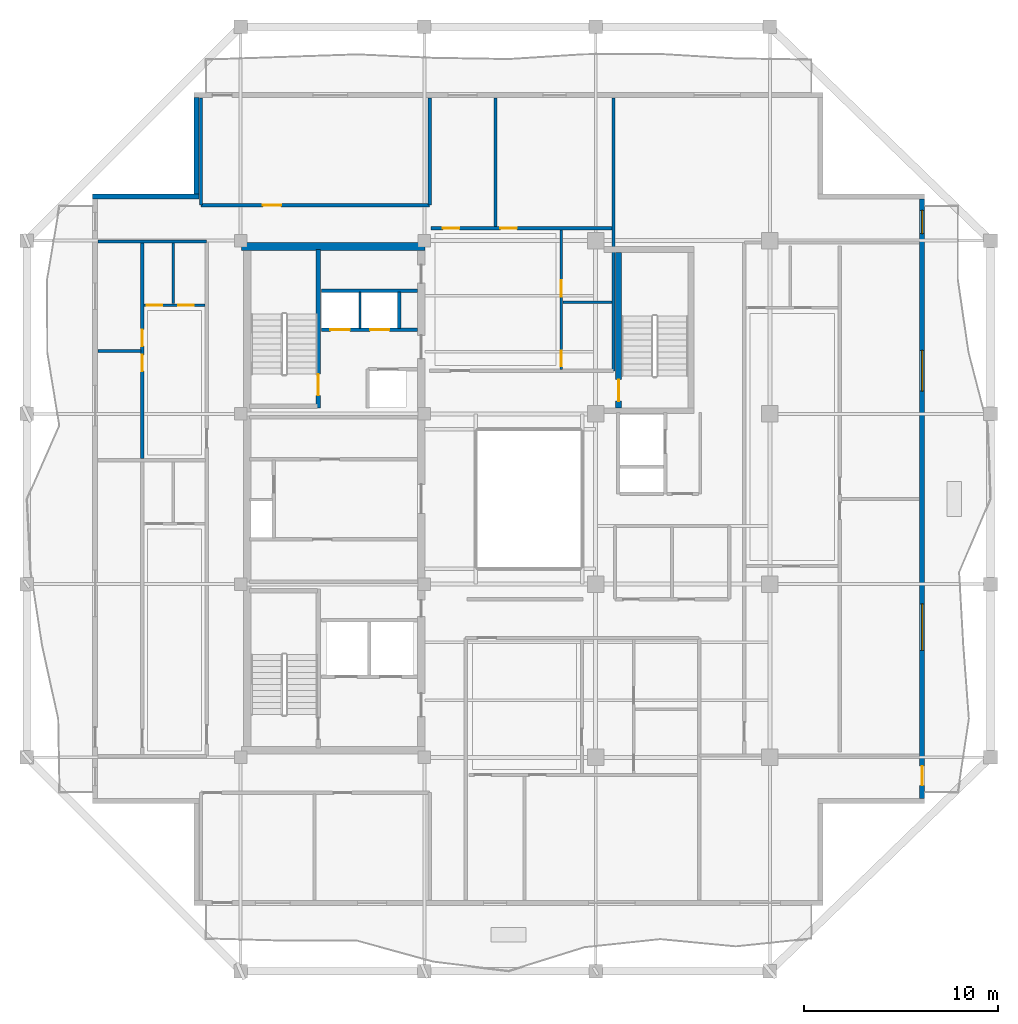
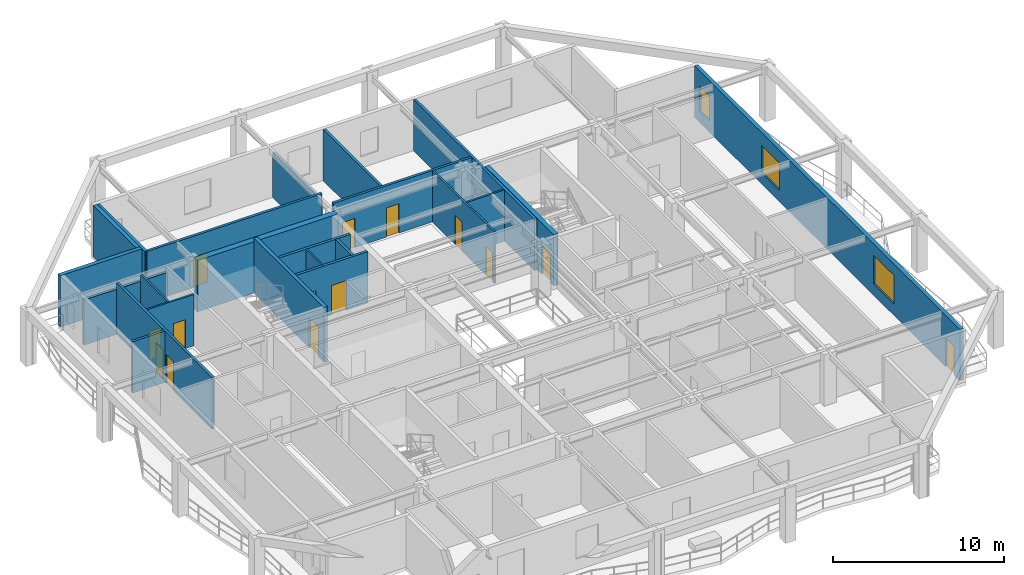
# One storey, part 5 of 11: 23 walls, 14 doors, 3 windows, 17 openings.
"""IFC4 building model written with IfcOpenShell, lengths in metres."""

from ifc_helpers import new_model, si_unit, direction, frame, frame_2d, origin, place, context, subcontext, project, spatial, rectangle, extrude, material, layer, layer_set, type_object, element, fill, save


model = new_model("IFC4")

# Units and contexts
model_context = context("Model", 3, precision=1e-05, world=origin(), true_north=direction((0.0, 1.0)))
body_context = subcontext(model_context, "Body", "Model", "MODEL_VIEW")
ifc_project = project(units=[si_unit("LENGTHUNIT", "METRE"), si_unit("AREAUNIT", "SQUARE_METRE"), si_unit("VOLUMEUNIT", "CUBIC_METRE"), si_unit("PLANEANGLEUNIT", "RADIAN"), si_unit("MASSUNIT", "GRAM", prefix="KILO")], contexts=[model_context])

# Site, building, storey
site_placement = place(None, origin())
site = spatial("IfcSite", under=ifc_project, at=site_placement, CompositionType="ELEMENT")
building_placement = place(site_placement, origin())
building = spatial("IfcBuilding", under=site, at=building_placement, Name="Kundavana Baori Tower", CompositionType="ELEMENT")
storey_placement = place(building_placement, frame((0.0, 0.0, 257.0)))
storey = spatial("IfcBuildingStorey", under=building, at=storey_placement, Name="L63", CompositionType="ELEMENT", Elevation=257.0)

# Wall
ifc_material_1 = material(Name="Concrete C50/60", Category="concrete")
ifc_layer_1 = layer(ifc_material_1, 0.39990234375, Name="WL-CORE-400")
ifc_layer_set_1 = layer_set([ifc_layer_1], Name="Concrete C50/60")
wall_type_1 = type_object("IfcWallType", Name="WL-CORE-400", PredefinedType="SHEAR", material=ifc_layer_set_1)
wall_1_placement = place(storey_placement, frame((15.5, 41.639892578125, 0.0), z_axis=(0.0, 0.0, 1.0), x_axis=(1.0, 0.0, 0.0)))
element("IfcWall", 1, at=wall_1_placement, inside=storey, type_object=wall_type_1, Name="L63 Offset Core North Shear Wall", PredefinedType="SHEAR", context=body_context, shape_type="SweptSolid", body=[
    extrude(rectangle(XDim=9.47998046875, YDim=0.39990234375, at=frame_2d((4.739990234375, 0.0))), origin(), (0.0, 0.0, 1.0), 3.659912109375),
])

# Wall, opening, door
wall_2_placement = place(storey_placement, frame((19.4599609375, 33.300048828125, 0.0), z_axis=(0.0, 0.0, 1.0), x_axis=(0.0, 1.0, 0.0)))
wall_2 = element("IfcWall", 2, at=wall_2_placement, inside=storey, type_object=wall_type_1, Name="WL-L63-ST2-E", PredefinedType="SHEAR", context=body_context, shape_type="SweptSolid", body=[
    extrude(rectangle(XDim=8.179931640625, YDim=0.239990234375, at=frame_2d((4.08984375, 0.0))), origin(), (0.0, 0.0, 1.0), 3.89990234375),
])
opening_1_placement = place(wall_2_placement, frame((0.64990234375, 0.0, 0.0)))
opening_1 = element("IfcOpeningElement", 3, at=opening_1_placement, cuts=wall_2, Name="Opening FD-110", PredefinedType="OPENING", context=body_context, shape_type="SweptSolid", body=[
    extrude(rectangle(XDim=1.10009765625, YDim=2.10009765625, at=frame_2d((0.550048828125, 1.050048828125))), frame((0.0, 0.1298828125, 0.0), z_axis=(0.0, -1.0, 0.0), x_axis=(1.0, 0.0, 0.0)), (0.0, 0.0, 1.0), 0.260009765625),
])
ifc_material_2 = material(Name="Galvanised Steel Fire-Rated Door Leaf", Category="steel")
door_type_1 = type_object("IfcDoorType", Name="DR-FD120-1100", OperationType="NOTDEFINED", PredefinedType="DOOR", material=ifc_material_2)
door_1_placement = place(opening_1_placement, origin())
door_1 = element("IfcDoor", 4, at=door_1_placement, inside=storey, type_object=door_type_1, Name="DR-L63-ST2", OperationType="SINGLE_SWING_RIGHT", OverallHeight=2.10009765625, OverallWidth=1.10009765625, PredefinedType="DOOR", context=body_context, shape_type="SweptSolid", body=[
    extrude(rectangle(XDim=1.10009765625, YDim=2.10009765625, at=frame_2d((0.550048828125, 1.050048828125))), frame((0.0, 0.02490234375, 0.0), z_axis=(0.0, -1.0, 0.0), x_axis=(1.0, 0.0, 0.0)), (0.0, 0.0, 1.0), 0.050048828125),
])
fill(opening_1, door_1)

# Wall, openings, door, windows
ifc_material_3 = material(Name="Kiln-Fired Terracotta Brick-Slip Masonry on Concrete C40/50", Category="masonry")
ifc_layer_2 = layer(ifc_material_3, 0.260009765625, Name="WL-EXT-BRK-260")
ifc_layer_set_2 = layer_set([ifc_layer_2], Name="Kiln-Fired Terracotta Brick-Slip Masonry on Concrete C40/50")
wall_type_2 = type_object("IfcWallType", Name="WL-EXT-BRK-260", PredefinedType="SOLIDWALL", material=ifc_layer_set_2)
wall_3_placement = place(storey_placement, frame((50.669921875, 13.110107421875, 0.0), z_axis=(0.0, 0.0, 1.0), x_axis=(0.0, 1.0, 0.0)))
wall_3 = element("IfcWall", 5, at=wall_3_placement, inside=storey, type_object=wall_type_2, Name="L63 Exterior Insulated Facade Wall 04", PredefinedType="SOLIDWALL", context=body_context, shape_type="SweptSolid", body=[
    extrude(rectangle(XDim=30.97998046875, YDim=0.260009765625, at=frame_2d((15.489990234375, 0.0))), origin(), (0.0, 0.0, 1.0), 3.659912109375),
])
opening_2_placement = place(wall_3_placement, frame((0.68994140625, 0.0, 0.0)))
opening_2 = element("IfcOpeningElement", 6, at=opening_2_placement, cuts=wall_3, Name="Opening BD-1", PredefinedType="OPENING", context=body_context, shape_type="SweptSolid", body=[
    extrude(rectangle(XDim=1.0, YDim=2.050048828125, at=frame_2d((0.5, 1.02490234375))), frame((0.0, 0.14013671875, 0.0), z_axis=(0.0, -1.0, 0.0), x_axis=(1.0, 0.0, 0.0)), (0.0, 0.0, 1.0), 0.280029296875),
])
opening_3_placement = place(wall_3_placement, frame((7.6650390625, 0.0, 0.800048828125)))
opening_3 = element("IfcOpeningElement", 7, at=opening_3_placement, cuts=wall_3, Name="Opening W-04", PredefinedType="OPENING", context=body_context, shape_type="SweptSolid", body=[
    extrude(rectangle(XDim=2.39990234375, YDim=2.050048828125, at=frame_2d((1.199951171875, 1.02490234375))), frame((0.0, 0.14013671875, 0.0), z_axis=(0.0, -1.0, 0.0), x_axis=(1.0, 0.0, 0.0)), (0.0, 0.0, 1.0), 0.280029296875),
])
opening_4_placement = place(wall_3_placement, frame((21.06494140625, 0.0, 0.800048828125)))
opening_4 = element("IfcOpeningElement", 8, at=opening_4_placement, cuts=wall_3, Name="Opening W-05", PredefinedType="OPENING", context=body_context, shape_type="SweptSolid", body=[
    extrude(rectangle(XDim=2.10009765625, YDim=1.949951171875, at=frame_2d((1.050048828125, 0.97509765625))), frame((0.0, 0.14013671875, 0.0), z_axis=(0.0, -1.0, 0.0), x_axis=(1.0, 0.0, 0.0)), (0.0, 0.0, 1.0), 0.280029296875),
])
opening_5_placement = place(wall_3_placement, frame((29.205078125, 0.0, 0.800048828125)))
opening_5 = element("IfcOpeningElement", 9, at=opening_5_placement, cuts=wall_3, Name="Opening W-03", PredefinedType="OPENING", context=body_context, shape_type="SweptSolid", body=[
    extrude(rectangle(XDim=1.199951171875, YDim=1.75, at=frame_2d((0.60009765625, 0.875))), frame((0.0, 0.14013671875, 0.0), z_axis=(0.0, -1.0, 0.0), x_axis=(1.0, 0.0, 0.0)), (0.0, 0.0, 1.0), 0.280029296875),
])
ifc_material_4 = material(Name="Architectural Patinated Bronze Metalwork")
door_type_2 = type_object("IfcDoorType", Name="DR-EXT-LOG-1000", OperationType="NOTDEFINED", PredefinedType="DOOR", material=ifc_material_4)
door_2_placement = place(opening_2_placement, frame((1.0, 0.0, 0.0), z_axis=(0.0, 0.0, 1.0), x_axis=(-1.0, 0.0, 0.0)))
door_2 = element("IfcDoor", 10, at=door_2_placement, inside=storey, type_object=door_type_2, Name="L63 Loggia Balcony Access Door E", OperationType="SINGLE_SWING_RIGHT", OverallHeight=2.050048828125, OverallWidth=1.0, PredefinedType="DOOR", context=body_context, shape_type="SweptSolid", body=[
    extrude(rectangle(XDim=1.0, YDim=2.050048828125, at=frame_2d((0.5, 1.02490234375))), frame((0.0, 0.02490234375, 0.0), z_axis=(0.0, -1.0, 0.0), x_axis=(1.0, 0.0, 0.0)), (0.0, 0.0, 1.0), 0.050048828125),
])
fill(opening_2, door_2)
ifc_material_5 = material(Name="Double-Glazed Solar-Control Low-E Insulated Glass", Category="glass")
window_type_1 = type_object("IfcWindowType", Name="WIN-LOG-1200x1750", PartitioningType="SINGLE_PANEL", PredefinedType="WINDOW", material=ifc_material_5)
window_1_placement = place(opening_5_placement, origin())
window_1 = element("IfcWindow", 11, at=window_1_placement, inside=storey, type_object=window_type_1, Name="L63 Recessed Loggia Window E-4", OverallHeight=1.75, OverallWidth=1.199951171875, PartitioningType="SINGLE_PANEL", PredefinedType="WINDOW", context=body_context, shape_type="SweptSolid", body=[
    extrude(rectangle(XDim=1.199951171875, YDim=1.75, at=frame_2d((0.60009765625, 0.875))), frame((0.0, 0.030029296875, 0.0), z_axis=(0.0, -1.0, 0.0), x_axis=(1.0, 0.0, 0.0)), (0.0, 0.0, 1.0), 0.06005859375),
])
fill(opening_5, window_1)
ifc_material_6 = material(Name="Double-Glazed Solar-Control Low-E Insulated Glass", Category="glass")
window_type_2 = type_object("IfcWindowType", Name="WIN-LOG-2100x1950", PartitioningType="SINGLE_PANEL", PredefinedType="WINDOW", material=ifc_material_6)
window_2_placement = place(opening_4_placement, origin())
window_2 = element("IfcWindow", 12, at=window_2_placement, inside=storey, type_object=window_type_2, Name="L63 Recessed Loggia Window E-3", OverallHeight=1.949951171875, OverallWidth=2.10009765625, PartitioningType="SINGLE_PANEL", PredefinedType="WINDOW", context=body_context, shape_type="SweptSolid", body=[
    extrude(rectangle(XDim=2.10009765625, YDim=1.949951171875, at=frame_2d((1.050048828125, 0.97509765625))), frame((0.0, 0.030029296875, 0.0), z_axis=(0.0, -1.0, 0.0), x_axis=(1.0, 0.0, 0.0)), (0.0, 0.0, 1.0), 0.06005859375),
])
fill(opening_4, window_2)
ifc_material_7 = material(Name="Double-Glazed Solar-Control Low-E Insulated Glass", Category="glass")
window_type_3 = type_object("IfcWindowType", Name="WIN-LOG-2400x2050", PartitioningType="SINGLE_PANEL", PredefinedType="WINDOW", material=ifc_material_7)
window_3_placement = place(opening_3_placement, origin())
window_3 = element("IfcWindow", 13, at=window_3_placement, inside=storey, type_object=window_type_3, Name="L63 Recessed Loggia Window E-2", OverallHeight=2.050048828125, OverallWidth=2.39990234375, PartitioningType="SINGLE_PANEL", PredefinedType="WINDOW", context=body_context, shape_type="SweptSolid", body=[
    extrude(rectangle(XDim=2.39990234375, YDim=2.050048828125, at=frame_2d((1.199951171875, 1.02490234375))), frame((0.0, 0.030029296875, 0.0), z_axis=(0.0, -1.0, 0.0), x_axis=(1.0, 0.0, 0.0)), (0.0, 0.0, 1.0), 0.06005859375),
])
fill(opening_3, window_3)

# Walls
wall_4_placement = place(storey_placement, frame((13.179931640625, 49.340087890625, 0.0), z_axis=(0.0, 0.0, 1.0), x_axis=(0.0, -1.0, 0.0)))
element("IfcWall", 14, at=wall_4_placement, inside=storey, type_object=wall_type_2, Name="L63 Exterior Insulated Facade Wall 08", PredefinedType="SOLIDWALL", context=body_context, shape_type="SweptSolid", body=[
    extrude(rectangle(XDim=4.989990234375, YDim=0.260009765625, at=frame_2d((2.4951171875, 0.0))), origin(), (0.0, 0.0, 1.0), 3.659912109375),
])
wall_5_placement = place(storey_placement, frame((13.31005859375, 44.219970703125, 0.0), z_axis=(0.0, 0.0, 1.0), x_axis=(-1.0, 0.0, 0.0)))
element("IfcWall", 15, at=wall_5_placement, inside=storey, type_object=wall_type_2, Name="L63 Exterior Insulated Facade Wall 09", PredefinedType="SOLIDWALL", context=body_context, shape_type="SweptSolid", body=[
    extrude(rectangle(XDim=5.510009765625, YDim=0.260009765625, at=frame_2d((2.7548828125, 0.0))), origin(), (0.0, 0.0, 1.0), 3.659912109375),
])
ifc_material_8 = material(Name="Acoustic Gypsum Plasterboard on Galvanised Steel Studs", Category="steel")
ifc_layer_3 = layer(ifc_material_8, 0.1201171875, Name="WL-PART-120")
ifc_layer_set_3 = layer_set([ifc_layer_3], Name="Acoustic Gypsum Plasterboard on Galvanised Steel Studs")
wall_type_3 = type_object("IfcWallType", Name="WL-PART-120", PredefinedType="PARTITIONING", material=ifc_layer_set_3)
wall_6_placement = place(storey_placement, frame((21.6201171875, 37.39990234375, 0.0), z_axis=(0.0, 0.0, 1.0), x_axis=(0.0, 1.0, 0.0)))
element("IfcWall", 16, at=wall_6_placement, inside=storey, type_object=wall_type_3, Name="WL-L63-HR-DIV1", PredefinedType="PARTITIONING", context=body_context, shape_type="SweptSolid", body=[
    extrude(rectangle(XDim=1.900146484375, YDim=0.1201171875, at=frame_2d((0.9501953125, 0.0))), origin(), (0.0, 0.0, 1.0), 3.659912109375),
])

# Wall, opening, door
ifc_material_9 = material(Name="Fire-Rated Gypsum Drywall on Galvanised Steel Studs", Category="steel")
ifc_layer_4 = layer(ifc_material_9, 0.1650390625, Name="WL-PART-165")
ifc_layer_set_4 = layer_set([ifc_layer_4], Name="Fire-Rated Gypsum Drywall on Galvanised Steel Studs")
wall_type_4 = type_object("IfcWallType", Name="WL-PART-165", PredefinedType="PARTITIONING", material=ifc_layer_set_4)
wall_7_placement = place(storey_placement, frame((13.39990234375, 43.780029296875, 0.0), z_axis=(0.0, 0.0, 1.0), x_axis=(1.0, 0.0, 0.0)))
wall_7 = element("IfcWall", 17, at=wall_7_placement, inside=storey, type_object=wall_type_4, Name="WL-L63-RNC", PredefinedType="PARTITIONING", context=body_context, shape_type="SweptSolid", body=[
    extrude(rectangle(XDim=11.820068359375, YDim=0.1650390625, at=frame_2d((5.91015625, 0.0))), origin(), (0.0, 0.0, 1.0), 3.659912109375),
])
opening_6_placement = place(wall_7_placement, frame((3.199951171875, 0.0, 0.0)))
opening_6 = element("IfcOpeningElement", 18, at=opening_6_placement, cuts=wall_7, Name="Opening ID-095", PredefinedType="OPENING", context=body_context, shape_type="SweptSolid", body=[
    extrude(rectangle(XDim=0.949951171875, YDim=2.080078125, at=frame_2d((0.47509765625, 1.0400390625))), frame((0.0, 0.092529296875, 0.0), z_axis=(0.0, -1.0, 0.0), x_axis=(1.0, 0.0, 0.0)), (0.0, 0.0, 1.0), 0.18505859375),
])
ifc_material_10 = material(Name="Engineered Teak Solid-Core Timber Veneer", Category="wood")
door_type_3 = type_object("IfcDoorType", Name="DR-INT-950", OperationType="NOTDEFINED", PredefinedType="DOOR", material=ifc_material_10)
door_3_placement = place(opening_6_placement, origin())
door_3 = element("IfcDoor", 19, at=door_3_placement, inside=storey, type_object=door_type_3, Name="DR-L63-RMNW", OperationType="SINGLE_SWING_RIGHT", OverallHeight=2.080078125, OverallWidth=0.949951171875, PredefinedType="DOOR", context=body_context, shape_type="SweptSolid", body=[
    extrude(rectangle(XDim=0.949951171875, YDim=2.080078125, at=frame_2d((0.47509765625, 1.0400390625))), frame((0.0, 0.02490234375, 0.0), z_axis=(0.0, -1.0, 0.0), x_axis=(1.0, 0.0, 0.0)), (0.0, 0.0, 1.0), 0.050048828125),
])
fill(opening_6, door_3)

# Walls
wall_8_placement = place(storey_placement, frame((13.39990234375, 43.780029296875, 0.0), z_axis=(0.0, 0.0, 1.0), x_axis=(0.0, 1.0, 0.0)))
element("IfcWall", 20, at=wall_8_placement, inside=storey, type_object=wall_type_4, Name="WL-L63-RNCW", PredefinedType="PARTITIONING", context=body_context, shape_type="SweptSolid", body=[
    extrude(rectangle(XDim=5.5400390625, YDim=0.1650390625, at=frame_2d((2.77001953125, 0.0))), origin(), (0.0, 0.0, 1.0), 3.659912109375),
])
wall_9_placement = place(storey_placement, frame((25.219970703125, 43.780029296875, 0.0), z_axis=(0.0, 0.0, 1.0), x_axis=(0.0, 1.0, 0.0)))
element("IfcWall", 21, at=wall_9_placement, inside=storey, type_object=wall_type_4, Name="WL-L63-RNCE", PredefinedType="PARTITIONING", context=body_context, shape_type="SweptSolid", body=[
    extrude(rectangle(XDim=5.5400390625, YDim=0.1650390625, at=frame_2d((2.77001953125, 0.0))), origin(), (0.0, 0.0, 1.0), 3.2099609375),
])
wall_10_placement = place(storey_placement, frame((8.080078125, 41.89990234375, 0.0), z_axis=(0.0, 0.0, 1.0), x_axis=(1.0, 0.0, 0.0)))
element("IfcWall", 22, at=wall_10_placement, inside=storey, type_object=wall_type_4, Name="WL-L63-RWN", PredefinedType="PARTITIONING", context=body_context, shape_type="SweptSolid", body=[
    extrude(rectangle(XDim=5.619873046875, YDim=0.1650390625, at=frame_2d((2.81005859375, 0.0))), origin(), (0.0, 0.0, 1.0), 3.2099609375),
])

# Wall, openings, doors
wall_11_placement = place(storey_placement, frame((10.3701171875, 30.679931640625, 0.0), z_axis=(0.0, 0.0, 1.0), x_axis=(0.0, 1.0, 0.0)))
wall_11 = element("IfcWall", 23, at=wall_11_placement, inside=storey, type_object=wall_type_4, Name="WL-L63-W2-VT", PredefinedType="PARTITIONING", context=body_context, shape_type="SweptSolid", body=[
    extrude(rectangle(XDim=11.14013671875, YDim=0.1650390625, at=frame_2d((5.570068359375, 0.0))), origin(), (0.0, 0.0, 1.0), 3.659912109375),
])
opening_7_placement = place(wall_11_placement, frame((4.52001953125, 0.0, 0.0)))
opening_7 = element("IfcOpeningElement", 24, at=opening_7_placement, cuts=wall_11, Name="Opening ID-085", PredefinedType="OPENING", context=body_context, shape_type="SweptSolid", body=[
    extrude(rectangle(XDim=0.85009765625, YDim=2.080078125, at=frame_2d((0.425048828125, 1.0400390625))), frame((0.0, 0.092529296875, 0.0), z_axis=(0.0, -1.0, 0.0), x_axis=(1.0, 0.0, 0.0)), (0.0, 0.0, 1.0), 0.18505859375),
])
opening_8_placement = place(wall_11_placement, frame((5.820068359375, 0.0, 0.0)))
opening_8 = element("IfcOpeningElement", 25, at=opening_8_placement, cuts=wall_11, Name="Opening ID-085", PredefinedType="OPENING", context=body_context, shape_type="SweptSolid", body=[
    extrude(rectangle(XDim=0.85009765625, YDim=2.080078125, at=frame_2d((0.425048828125, 1.0400390625))), frame((0.0, 0.092529296875, 0.0), z_axis=(0.0, -1.0, 0.0), x_axis=(1.0, 0.0, 0.0)), (0.0, 0.0, 1.0), 0.18505859375),
])
ifc_material_11 = material(Name="Engineered Teak Solid-Core Timber Veneer", Category="wood")
door_type_4 = type_object("IfcDoorType", Name="DR-INT-850", OperationType="NOTDEFINED", PredefinedType="DOOR", material=ifc_material_11)
door_4_placement = place(opening_7_placement, frame((0.85009765625, 0.0, 0.0), z_axis=(0.0, 0.0, 1.0), x_axis=(-1.0, 0.0, 0.0)))
door_4 = element("IfcDoor", 26, at=door_4_placement, inside=storey, type_object=door_type_4, Name="DR-L63-W2-B1", OperationType="SINGLE_SWING_LEFT", OverallHeight=2.080078125, OverallWidth=0.85009765625, PredefinedType="DOOR", context=body_context, shape_type="SweptSolid", body=[
    extrude(rectangle(XDim=0.85009765625, YDim=2.080078125, at=frame_2d((0.425048828125, 1.0400390625))), frame((0.0, 0.02490234375, 0.0), z_axis=(0.0, -1.0, 0.0), x_axis=(1.0, 0.0, 0.0)), (0.0, 0.0, 1.0), 0.050048828125),
])
fill(opening_7, door_4)
door_5_placement = place(opening_8_placement, frame((0.85009765625, 0.0, 0.0), z_axis=(0.0, 0.0, 1.0), x_axis=(-1.0, 0.0, 0.0)))
door_5 = element("IfcDoor", 27, at=door_5_placement, inside=storey, type_object=door_type_4, Name="DR-L63-W2-B2", OperationType="SINGLE_SWING_RIGHT", OverallHeight=2.080078125, OverallWidth=0.85009765625, PredefinedType="DOOR", context=body_context, shape_type="SweptSolid", body=[
    extrude(rectangle(XDim=0.85009765625, YDim=2.080078125, at=frame_2d((0.425048828125, 1.0400390625))), frame((0.0, 0.02490234375, 0.0), z_axis=(0.0, -1.0, 0.0), x_axis=(1.0, 0.0, 0.0)), (0.0, 0.0, 1.0), 0.050048828125),
])
fill(opening_8, door_5)

# Walls
wall_12_placement = place(storey_placement, frame((8.080078125, 36.25, 0.0), z_axis=(0.0, 0.0, 1.0), x_axis=(1.0, 0.0, 0.0)))
element("IfcWall", 28, at=wall_12_placement, inside=storey, type_object=wall_type_4, Name="WL-L63-W2-BDH", PredefinedType="PARTITIONING", context=body_context, shape_type="SweptSolid", body=[
    extrude(rectangle(XDim=2.2099609375, YDim=0.1650390625, at=frame_2d((1.10498046875, 0.0))), origin(), (0.0, 0.0, 1.0), 3.659912109375),
])
wall_13_placement = place(storey_placement, frame((34.719970703125, 35.219970703125, 0.0), z_axis=(0.0, 0.0, 1.0), x_axis=(0.0, 1.0, 0.0)))
element("IfcWall", 29, at=wall_13_placement, inside=storey, type_object=wall_type_4, Name="WL-L63-RNEND", PredefinedType="PARTITIONING", context=body_context, shape_type="SweptSolid", body=[
    extrude(rectangle(XDim=14.10009765625, YDim=0.1650390625, at=frame_2d((7.050048828125, 0.0))), origin(), (0.0, 0.0, 1.0), 3.659912109375),
])

# Wall, openings, doors
wall_14_placement = place(storey_placement, frame((25.300048828125, 42.590087890625, 0.0), z_axis=(0.0, 0.0, 1.0), x_axis=(1.0, 0.0, 0.0)))
wall_14 = element("IfcWall", 30, at=wall_14_placement, inside=storey, type_object=wall_type_4, Name="WL-L63-N1-HZ", PredefinedType="PARTITIONING", context=body_context, shape_type="SweptSolid", body=[
    extrude(rectangle(XDim=9.33984375, YDim=0.1650390625, at=frame_2d((4.669921875, 0.0))), origin(), (0.0, 0.0, 1.0), 3.659912109375),
])
opening_9_placement = place(wall_14_placement, frame((0.60009765625, 0.0, 0.0)))
opening_9 = element("IfcOpeningElement", 31, at=opening_9_placement, cuts=wall_14, Name="Opening ID-085", PredefinedType="OPENING", context=body_context, shape_type="SweptSolid", body=[
    extrude(rectangle(XDim=0.85009765625, YDim=2.080078125, at=frame_2d((0.425048828125, 1.0400390625))), frame((0.0, 0.092529296875, 0.0), z_axis=(0.0, -1.0, 0.0), x_axis=(1.0, 0.0, 0.0)), (0.0, 0.0, 1.0), 0.18505859375),
])
opening_10_placement = place(wall_14_placement, frame((3.572998046875, 0.0, 0.0)))
opening_10 = element("IfcOpeningElement", 32, at=opening_10_placement, cuts=wall_14, Name="Opening ID-085", PredefinedType="OPENING", context=body_context, shape_type="SweptSolid", body=[
    extrude(rectangle(XDim=0.85009765625, YDim=2.080078125, at=frame_2d((0.425048828125, 1.0400390625))), frame((0.0, 0.092529296875, 0.0), z_axis=(0.0, -1.0, 0.0), x_axis=(1.0, 0.0, 0.0)), (0.0, 0.0, 1.0), 0.18505859375),
])
door_6_placement = place(opening_9_placement, origin())
door_6 = element("IfcDoor", 33, at=door_6_placement, inside=storey, type_object=door_type_4, Name="DR-L63-N1-B1", OperationType="SINGLE_SWING_LEFT", OverallHeight=2.080078125, OverallWidth=0.85009765625, PredefinedType="DOOR", context=body_context, shape_type="SweptSolid", body=[
    extrude(rectangle(XDim=0.85009765625, YDim=2.080078125, at=frame_2d((0.425048828125, 1.0400390625))), frame((0.0, 0.02490234375, 0.0), z_axis=(0.0, -1.0, 0.0), x_axis=(1.0, 0.0, 0.0)), (0.0, 0.0, 1.0), 0.050048828125),
])
fill(opening_9, door_6)
door_7_placement = place(opening_10_placement, origin())
door_7 = element("IfcDoor", 34, at=door_7_placement, inside=storey, type_object=door_type_4, Name="DR-L63-N1-B2", OperationType="SINGLE_SWING_RIGHT", OverallHeight=2.080078125, OverallWidth=0.85009765625, PredefinedType="DOOR", context=body_context, shape_type="SweptSolid", body=[
    extrude(rectangle(XDim=0.85009765625, YDim=2.080078125, at=frame_2d((0.425048828125, 1.0400390625))), frame((0.0, 0.02490234375, 0.0), z_axis=(0.0, -1.0, 0.0), x_axis=(1.0, 0.0, 0.0)), (0.0, 0.0, 1.0), 0.050048828125),
])
fill(opening_10, door_7)

# Wall
wall_15_placement = place(storey_placement, frame((28.623046875, 42.669921875, 0.0), z_axis=(0.0, 0.0, 1.0), x_axis=(0.0, 1.0, 0.0)))
element("IfcWall", 35, at=wall_15_placement, inside=storey, type_object=wall_type_4, Name="WL-L63-N1-BDV", PredefinedType="PARTITIONING", context=body_context, shape_type="SweptSolid", body=[
    extrude(rectangle(XDim=6.650146484375, YDim=0.1650390625, at=frame_2d((3.3251953125, 0.0))), origin(), (0.0, 0.0, 1.0), 3.659912109375),
])

# Wall, openings, doors
ifc_material_12 = material(Name="Autoclaved Aerated Concrete Blockwork Masonry", Category="masonry")
ifc_layer_5 = layer(ifc_material_12, 0.179931640625, Name="WL-SHAFT-180")
ifc_layer_set_5 = layer_set([ifc_layer_5], Name="Autoclaved Aerated Concrete Blockwork Masonry")
wall_type_5 = type_object("IfcWallType", Name="WL-SHAFT-180", PredefinedType="SOLIDWALL", material=ifc_layer_set_5)
wall_16_placement = place(storey_placement, frame((19.639892578125, 37.340087890625, 0.0), z_axis=(0.0, 0.0, 1.0), x_axis=(1.0, 0.0, 0.0)))
wall_16 = element("IfcWall", 36, at=wall_16_placement, inside=storey, type_object=wall_type_5, Name="WL-L63-HRLOB-N", PredefinedType="SOLIDWALL", context=body_context, shape_type="SweptSolid", body=[
    extrude(rectangle(XDim=4.940185546875, YDim=0.179931640625, at=frame_2d((2.47021484375, 0.0))), origin(), (0.0, 0.0, 1.0), 3.659912109375),
])
opening_11_placement = place(wall_16_placement, frame((0.449951171875, 0.0, 0.0)))
opening_11 = element("IfcOpeningElement", 37, at=opening_11_placement, cuts=wall_16, Name="Opening LD-100", PredefinedType="OPENING", context=body_context, shape_type="SweptSolid", body=[
    extrude(rectangle(XDim=1.0, YDim=2.10009765625, at=frame_2d((0.5, 1.050048828125))), frame((0.0, 0.10009765625, 0.0), z_axis=(0.0, -1.0, 0.0), x_axis=(1.0, 0.0, 0.0)), (0.0, 0.0, 1.0), 0.199951171875),
])
opening_12_placement = place(wall_16_placement, frame((2.5, 0.0, 0.0)))
opening_12 = element("IfcOpeningElement", 38, at=opening_12_placement, cuts=wall_16, Name="Opening LD-100", PredefinedType="OPENING", context=body_context, shape_type="SweptSolid", body=[
    extrude(rectangle(XDim=1.0, YDim=2.10009765625, at=frame_2d((0.5, 1.050048828125))), frame((0.0, 0.10009765625, 0.0), z_axis=(0.0, -1.0, 0.0), x_axis=(1.0, 0.0, 0.0)), (0.0, 0.0, 1.0), 0.199951171875),
])
ifc_material_13 = material(Name="Galvanised Steel Fire-Rated Door Leaf", Category="steel")
door_type_5 = type_object("IfcDoorType", Name="DR-SLIDE-LD1000", OperationType="NOTDEFINED", PredefinedType="DOOR", material=ifc_material_13)
door_8_placement = place(opening_11_placement, frame((1.0, 0.0, 0.0), z_axis=(0.0, 0.0, 1.0), x_axis=(-1.0, 0.0, 0.0)))
door_8 = element("IfcDoor", 39, at=door_8_placement, inside=storey, type_object=door_type_5, Name="DR-L63-LD-LP09", OperationType="DOUBLE_DOOR_SLIDING", OverallHeight=2.10009765625, OverallWidth=1.0, PredefinedType="DOOR", context=body_context, shape_type="SweptSolid", body=[
    extrude(rectangle(XDim=1.0, YDim=2.10009765625, at=frame_2d((0.5, 1.050048828125))), frame((0.0, 0.02490234375, 0.0), z_axis=(0.0, -1.0, 0.0), x_axis=(1.0, 0.0, 0.0)), (0.0, 0.0, 1.0), 0.050048828125),
])
fill(opening_11, door_8)
door_9_placement = place(opening_12_placement, frame((1.0, 0.0, 0.0), z_axis=(0.0, 0.0, 1.0), x_axis=(-1.0, 0.0, 0.0)))
door_9 = element("IfcDoor", 40, at=door_9_placement, inside=storey, type_object=door_type_5, Name="DR-L63-LD-LP10", OperationType="DOUBLE_DOOR_SLIDING", OverallHeight=2.10009765625, OverallWidth=1.0, PredefinedType="DOOR", context=body_context, shape_type="SweptSolid", body=[
    extrude(rectangle(XDim=1.0, YDim=2.10009765625, at=frame_2d((0.5, 1.050048828125))), frame((0.0, 0.02490234375, 0.0), z_axis=(0.0, -1.0, 0.0), x_axis=(1.0, 0.0, 0.0)), (0.0, 0.0, 1.0), 0.050048828125),
])
fill(opening_12, door_9)

# Walls
wall_17_placement = place(storey_placement, frame((19.639892578125, 39.360107421875, 0.0), z_axis=(0.0, 0.0, 1.0), x_axis=(1.0, 0.0, 0.0)))
element("IfcWall", 41, at=wall_17_placement, inside=storey, type_object=wall_type_5, Name="WL-L63-HRLOB-TOP", PredefinedType="SOLIDWALL", context=body_context, shape_type="SweptSolid", body=[
    extrude(rectangle(XDim=4.940185546875, YDim=0.179931640625, at=frame_2d((2.47021484375, 0.0))), origin(), (0.0, 0.0, 1.0), 3.659912109375),
])
wall_18_placement = place(storey_placement, frame((23.659912109375, 37.39990234375, 0.0), z_axis=(0.0, 0.0, 1.0), x_axis=(0.0, 1.0, 0.0)))
element("IfcWall", 42, at=wall_18_placement, inside=storey, type_object=wall_type_5, Name="WL-L63-HR-DIV2", PredefinedType="SOLIDWALL", context=body_context, shape_type="SweptSolid", body=[
    extrude(rectangle(XDim=1.900146484375, YDim=0.179931640625, at=frame_2d((0.9501953125, 0.0))), origin(), (0.0, 0.0, 1.0), 3.659912109375),
])

# Wall, opening, door
ifc_material_14 = material(Name="Concrete C50/60", Category="concrete")
ifc_layer_6 = layer(ifc_material_14, 0.300048828125, Name="WL-ST3-300")
ifc_layer_set_6 = layer_set([ifc_layer_6], Name="Concrete C50/60")
wall_type_6 = type_object("IfcWallType", Name="WL-ST3-300", PredefinedType="SHEAR", material=ifc_layer_set_6)
wall_19_placement = place(storey_placement, frame((34.97998046875, 33.31005859375, 0.0), z_axis=(0.0, 0.0, 1.0), x_axis=(0.0, 1.0, 0.0)))
wall_19 = element("IfcWall", 43, at=wall_19_placement, inside=storey, type_object=wall_type_6, Name="L63 Stair ST3 West Shear Wall", PredefinedType="SHEAR", context=body_context, shape_type="SweptSolid", body=[
    extrude(rectangle(XDim=8.030029296875, YDim=0.300048828125, at=frame_2d((4.01513671875, 0.0))), origin(), (0.0, 0.0, 1.0), 3.659912109375),
])
opening_13_placement = place(wall_19_placement, frame((0.35009765625, 0.0, 0.0)))
opening_13 = element("IfcOpeningElement", 44, at=opening_13_placement, cuts=wall_19, Name="Opening FD-110", PredefinedType="OPENING", context=body_context, shape_type="SweptSolid", body=[
    extrude(rectangle(XDim=1.10009765625, YDim=2.10009765625, at=frame_2d((0.550048828125, 1.050048828125))), frame((0.0, 0.16015625, 0.0), z_axis=(0.0, -1.0, 0.0), x_axis=(1.0, 0.0, 0.0)), (0.0, 0.0, 1.0), 0.320068359375),
])
door_10_placement = place(opening_13_placement, origin())
door_10 = element("IfcDoor", 45, at=door_10_placement, inside=storey, type_object=door_type_1, Name="DR-L63-ST3-W", OperationType="SINGLE_SWING_LEFT", OverallHeight=2.10009765625, OverallWidth=1.10009765625, PredefinedType="DOOR", context=body_context, shape_type="SweptSolid", body=[
    extrude(rectangle(XDim=1.10009765625, YDim=2.10009765625, at=frame_2d((0.550048828125, 1.050048828125))), frame((0.0, 0.02490234375, 0.0), z_axis=(0.0, -1.0, 0.0), x_axis=(1.0, 0.0, 0.0)), (0.0, 0.0, 1.0), 0.050048828125),
])
fill(opening_13, door_10)

# Wall, openings, doors
ifc_material_15 = material(Name="Autoclaved Aerated Concrete Blockwork Masonry", Category="masonry")
ifc_layer_7 = layer(ifc_material_15, 0.125, Name="WL-WET-120")
ifc_layer_set_7 = layer_set([ifc_layer_7], Name="Autoclaved Aerated Concrete Blockwork Masonry")
wall_type_7 = type_object("IfcWallType", Name="WL-WET-120", PredefinedType="PLUMBINGWALL", material=ifc_layer_set_7)
wall_20_placement = place(storey_placement, frame((10.449951171875, 38.6201171875, 0.0), z_axis=(0.0, 0.0, 1.0), x_axis=(1.0, 0.0, 0.0)))
wall_20 = element("IfcWall", 46, at=wall_20_placement, inside=storey, type_object=wall_type_7, Name="WL-L63-W2-KH", PredefinedType="PLUMBINGWALL", context=body_context, shape_type="SweptSolid", body=[
    extrude(rectangle(XDim=3.170166015625, YDim=0.125, at=frame_2d((1.5849609375, 0.0))), origin(), (0.0, 0.0, 1.0), 3.659912109375),
])
opening_14_placement = place(wall_20_placement, frame((0.159912109375, 0.0, 0.0)))
opening_14 = element("IfcOpeningElement", 47, at=opening_14_placement, cuts=wall_20, Name="Opening WD-080", PredefinedType="OPENING", context=body_context, shape_type="SweptSolid", body=[
    extrude(rectangle(XDim=0.800048828125, YDim=2.050048828125, at=frame_2d((0.39990234375, 1.02490234375))), frame((0.0, 0.072509765625, 0.0), z_axis=(0.0, -1.0, 0.0), x_axis=(1.0, 0.0, 0.0)), (0.0, 0.0, 1.0), 0.14501953125),
])
opening_15_placement = place(wall_20_placement, frame((1.781982421875, 0.0, 0.0)))
opening_15 = element("IfcOpeningElement", 48, at=opening_15_placement, cuts=wall_20, Name="Opening WD-080", PredefinedType="OPENING", context=body_context, shape_type="SweptSolid", body=[
    extrude(rectangle(XDim=0.800048828125, YDim=2.050048828125, at=frame_2d((0.39990234375, 1.02490234375))), frame((0.0, 0.072509765625, 0.0), z_axis=(0.0, -1.0, 0.0), x_axis=(1.0, 0.0, 0.0)), (0.0, 0.0, 1.0), 0.14501953125),
])
ifc_material_16 = material(Name="Engineered Teak Solid-Core Timber Veneer", Category="wood")
door_type_6 = type_object("IfcDoorType", Name="DR-WET-800", OperationType="NOTDEFINED", PredefinedType="DOOR", material=ifc_material_16)
door_11_placement = place(opening_14_placement, origin())
door_11 = element("IfcDoor", 49, at=door_11_placement, inside=storey, type_object=door_type_6, Name="DR-L63-W2-BT", OperationType="SINGLE_SWING_LEFT", OverallHeight=2.050048828125, OverallWidth=0.800048828125, PredefinedType="DOOR", context=body_context, shape_type="SweptSolid", body=[
    extrude(rectangle(XDim=0.800048828125, YDim=2.050048828125, at=frame_2d((0.39990234375, 1.02490234375))), frame((0.0, 0.02490234375, 0.0), z_axis=(0.0, -1.0, 0.0), x_axis=(1.0, 0.0, 0.0)), (0.0, 0.0, 1.0), 0.050048828125),
])
fill(opening_14, door_11)
door_12_placement = place(opening_15_placement, origin())
door_12 = element("IfcDoor", 50, at=door_12_placement, inside=storey, type_object=door_type_6, Name="DR-L63-W2-KT", OperationType="SINGLE_SWING_RIGHT", OverallHeight=2.050048828125, OverallWidth=0.800048828125, PredefinedType="DOOR", context=body_context, shape_type="SweptSolid", body=[
    extrude(rectangle(XDim=0.800048828125, YDim=2.050048828125, at=frame_2d((0.39990234375, 1.02490234375))), frame((0.0, 0.02490234375, 0.0), z_axis=(0.0, -1.0, 0.0), x_axis=(1.0, 0.0, 0.0)), (0.0, 0.0, 1.0), 0.050048828125),
])
fill(opening_15, door_12)

# Wall
wall_21_placement = place(storey_placement, frame((11.971923828125, 38.699951171875, 0.0), z_axis=(0.0, 0.0, 1.0), x_axis=(0.0, 1.0, 0.0)))
element("IfcWall", 51, at=wall_21_placement, inside=storey, type_object=wall_type_7, Name="WL-L63-W2-BV", PredefinedType="PLUMBINGWALL", context=body_context, shape_type="SweptSolid", body=[
    extrude(rectangle(XDim=3.1201171875, YDim=0.125, at=frame_2d((1.56005859375, 0.0))), origin(), (0.0, 0.0, 1.0), 3.659912109375),
])

# Wall, openings, doors
wall_22_placement = place(storey_placement, frame((32.02490234375, 35.300048828125, 0.0), z_axis=(0.0, 0.0, 1.0), x_axis=(0.0, 1.0, 0.0)))
wall_22 = element("IfcWall", 52, at=wall_22_placement, inside=storey, type_object=wall_type_7, Name="WL-L63-N1-KT", PredefinedType="PLUMBINGWALL", context=body_context, shape_type="SweptSolid", body=[
    extrude(rectangle(XDim=7.2099609375, YDim=0.125, at=frame_2d((3.60498046875, 0.0))), origin(), (0.0, 0.0, 1.0), 3.659912109375),
])
opening_16_placement = place(wall_22_placement, frame((0.159912109375, 0.0, 0.0)))
opening_16 = element("IfcOpeningElement", 53, at=opening_16_placement, cuts=wall_22, Name="Opening WD-080", PredefinedType="OPENING", context=body_context, shape_type="SweptSolid", body=[
    extrude(rectangle(XDim=0.800048828125, YDim=2.050048828125, at=frame_2d((0.39990234375, 1.02490234375))), frame((0.0, 0.072509765625, 0.0), z_axis=(0.0, -1.0, 0.0), x_axis=(1.0, 0.0, 0.0)), (0.0, 0.0, 1.0), 0.14501953125),
])
opening_17_placement = place(wall_22_placement, frame((3.740966796875, 0.0, 0.0)))
opening_17 = element("IfcOpeningElement", 54, at=opening_17_placement, cuts=wall_22, Name="Opening ID-085", PredefinedType="OPENING", context=body_context, shape_type="SweptSolid", body=[
    extrude(rectangle(XDim=0.85009765625, YDim=2.080078125, at=frame_2d((0.425048828125, 1.0400390625))), frame((0.0, 0.072509765625, 0.0), z_axis=(0.0, -1.0, 0.0), x_axis=(1.0, 0.0, 0.0)), (0.0, 0.0, 1.0), 0.14501953125),
])
door_13_placement = place(opening_17_placement, origin())
door_13 = element("IfcDoor", 55, at=door_13_placement, inside=storey, type_object=door_type_4, Name="DR-L63-N1-KT", OperationType="SINGLE_SWING_RIGHT", OverallHeight=2.080078125, OverallWidth=0.85009765625, PredefinedType="DOOR", context=body_context, shape_type="SweptSolid", body=[
    extrude(rectangle(XDim=0.85009765625, YDim=2.080078125, at=frame_2d((0.425048828125, 1.0400390625))), frame((0.0, 0.02490234375, 0.0), z_axis=(0.0, -1.0, 0.0), x_axis=(1.0, 0.0, 0.0)), (0.0, 0.0, 1.0), 0.050048828125),
])
fill(opening_17, door_13)
door_14_placement = place(opening_16_placement, origin())
door_14 = element("IfcDoor", 56, at=door_14_placement, inside=storey, type_object=door_type_6, Name="DR-L63-N1-BT", OperationType="SINGLE_SWING_LEFT", OverallHeight=2.050048828125, OverallWidth=0.800048828125, PredefinedType="DOOR", context=body_context, shape_type="SweptSolid", body=[
    extrude(rectangle(XDim=0.800048828125, YDim=2.050048828125, at=frame_2d((0.39990234375, 1.02490234375))), frame((0.0, 0.02490234375, 0.0), z_axis=(0.0, -1.0, 0.0), x_axis=(1.0, 0.0, 0.0)), (0.0, 0.0, 1.0), 0.050048828125),
])
fill(opening_16, door_14)

# Wall
wall_23_placement = place(storey_placement, frame((32.10498046875, 38.760986328125, 0.0), z_axis=(0.0, 0.0, 1.0), x_axis=(1.0, 0.0, 0.0)))
element("IfcWall", 57, at=wall_23_placement, inside=storey, type_object=wall_type_7, Name="WL-L63-N1-BT", PredefinedType="PLUMBINGWALL", context=body_context, shape_type="SweptSolid", body=[
    extrude(rectangle(XDim=2.534912109375, YDim=0.125, at=frame_2d((1.267578125, 0.0))), origin(), (0.0, 0.0, 1.0), 3.659912109375),
])

save(model, "model.ifc")
